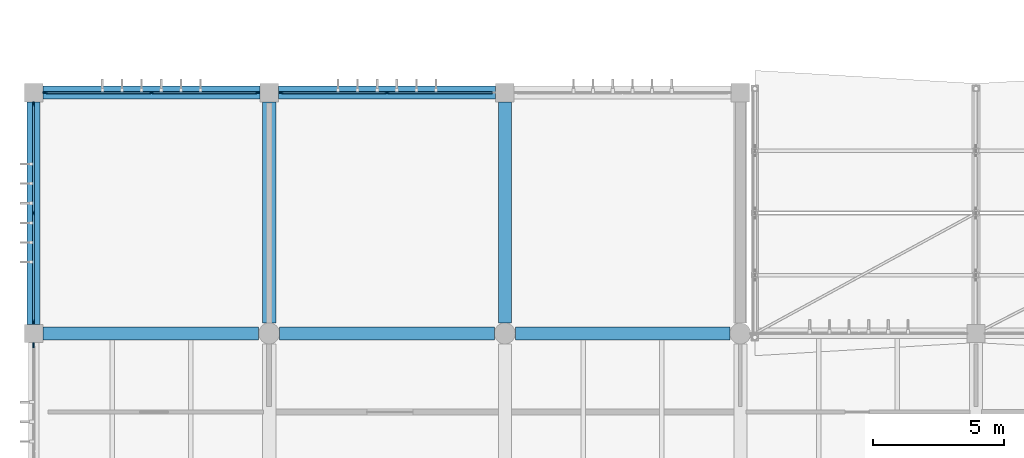
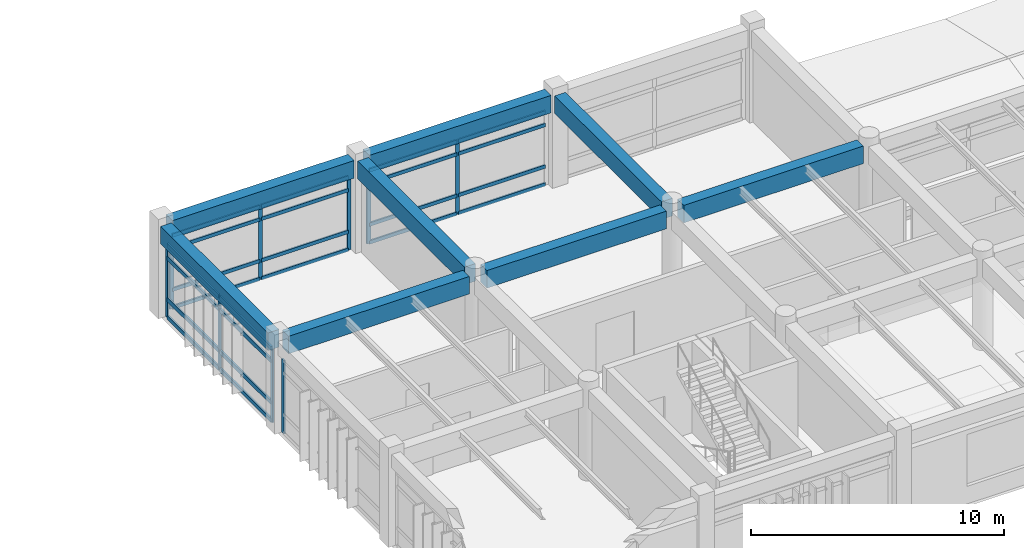
# One storey, part 15 of 90: 33 members, 8 beams, 4 elements without a shape of their own.
"""IFC4 building model written with IfcOpenShell, lengths in metres."""

from ifc_helpers import new_model, si_unit, direction, frame, origin, origin_2d, place, context, subcontext, project, spatial, rectangle, extrude, material, material_profile, profile_set, type_object, element, aggregate, save


model = new_model("IFC4")

# Units and contexts
model_context = context("Model", 3, precision=1e-05, world=origin(), true_north=direction((0.0, 1.0)))
body_context = subcontext(model_context, "Body", "Model", "MODEL_VIEW")
ifc_project = project(units=[si_unit("LENGTHUNIT", "METRE"), si_unit("AREAUNIT", "SQUARE_METRE"), si_unit("VOLUMEUNIT", "CUBIC_METRE"), si_unit("PLANEANGLEUNIT", "RADIAN"), si_unit("MASSUNIT", "GRAM", prefix="KILO")], contexts=[model_context])

# Site, building, storey
site_placement = place(None, origin())
site = spatial("IfcSite", under=ifc_project, at=site_placement, CompositionType="ELEMENT")
building_placement = place(site_placement, origin())
building = spatial("IfcBuilding", under=site, at=building_placement, Name="Bozkorgan Art Gallery", CompositionType="ELEMENT")
storey_placement = place(building_placement, frame((0.0, 0.0, 5.39990234375)))
storey = spatial("IfcBuildingStorey", under=building, at=storey_placement, Name="L01", CompositionType="ELEMENT", Elevation=5.39990234375)

# Beams
ifc_material_1 = material(Name="Concrete C35/45", Category="concrete")
ifc_material_profile_1 = material_profile(ifc_material_1, rectangle(XDim=0.5, YDim=0.85009765625, at=origin_2d()), Name="RC 500x850")
ifc_profile_set_1 = profile_set([ifc_material_profile_1], Name="Concrete C35/45")
beam_type = type_object("IfcBeamType", Name="BEAM-BM-01", PredefinedType="BEAM", material=ifc_profile_set_1)
beam_1_placement = place(storey_placement, frame((2.35009765625, 20.0, 4.01513671875), z_axis=(1.0, 0.0, 0.0), x_axis=(0.0, 1.0, 0.0)))
element("IfcBeam", 1, at=beam_1_placement, inside=storey, type_object=beam_type, Name="V1 L01 beam X (2-11, 20.0)", PredefinedType="BEAM", context=body_context, shape_type="SweptSolid", body=[
    extrude(rectangle(XDim=0.5, YDim=0.85009765625, at=origin_2d()), origin(), (0.0, 0.0, 1.0), 8.25),
])
for number, where, z_axis, x_axis, name in (
    (2, (11.39990234375, 20.0, 4.01513671875), (1.0, 0.0, 0.0), (0.0, 1.0, 0.0), "V1 L01 beam X (11-20, 20.0)"),
    (3, (20.39990234375, 20.0, 4.01513671875), (1.0, 0.0, 0.0), (0.0, 1.0, 0.0), "V1 L01 beam X (20-29, 20.0)"),
):
    element("IfcBeam", number, at=place(storey_placement, frame(where, z_axis=z_axis, x_axis=x_axis)), inside=storey, type_object=beam_type, Name=name, PredefinedType="BEAM", context=body_context, shape_type="SweptSolid", body=[
        extrude(rectangle(XDim=0.5, YDim=0.85009765625, at=origin_2d()), origin(), (0.0, 0.0, 1.0), 8.2001953125),
    ])
for number, where, z_axis, x_axis, name in (
    (4, (2.35009765625, 29.199951171875, 4.01513671875), (1.0, 0.0, 0.0), (0.0, 1.0, 0.0), "V1 L01 beam X (2-11, 29.2)"),
    (5, (11.35009765625, 29.199951171875, 4.01513671875), (1.0, 0.0, 0.0), (0.0, 1.0, 0.0), "V1 L01 beam X (11-20, 29.2)"),
):
    element("IfcBeam", number, at=place(storey_placement, frame(where, z_axis=z_axis, x_axis=x_axis)), inside=storey, type_object=beam_type, Name=name, PredefinedType="BEAM", context=body_context, shape_type="SweptSolid", body=[
        extrude(rectangle(XDim=0.5, YDim=0.85009765625, at=origin_2d()), origin(), (0.0, 0.0, 1.0), 8.2998046875),
    ])
beam_2_placement = place(storey_placement, frame((2.0, 20.35009765625, 4.01513671875), z_axis=(0.0, 1.0, 0.0), x_axis=(-1.0, 0.0, 0.0)))
element("IfcBeam", 6, at=beam_2_placement, inside=storey, type_object=beam_type, Name="V1 L01 beam Y (2, 20.0-29.2)", PredefinedType="BEAM", context=body_context, shape_type="SweptSolid", body=[
    extrude(rectangle(XDim=0.5, YDim=0.85009765625, at=origin_2d()), origin(), (0.0, 0.0, 1.0), 8.5),
])
for number, where, z_axis, x_axis, name in (
    (7, (11.0, 20.39990234375, 4.01513671875), (0.0, 1.0, 0.0), (-1.0, 0.0, 0.0), "V1 L01 beam Y (11, 20.0-29.2)"),
    (8, (20.0, 20.39990234375, 4.01513671875), (0.0, 1.0, 0.0), (-1.0, 0.0, 0.0), "V1 L01 beam Y (20, 20.0-29.2)"),
):
    element("IfcBeam", number, at=place(storey_placement, frame(where, z_axis=z_axis, x_axis=x_axis)), inside=storey, type_object=beam_type, Name=name, PredefinedType="BEAM", context=body_context, shape_type="SweptSolid", body=[
        extrude(rectangle(XDim=0.5, YDim=0.85009765625, at=origin_2d()), origin(), (0.0, 0.0, 1.0), 8.4501953125),
    ])

# Curtain wall, member
ifc_material_2 = material(Name="Anodised Bronze Aluminium", Category="aluminium")
curtain_wall_type_1 = type_object("IfcCurtainWallType", Name="CW-CW-94", PredefinedType="NOTDEFINED", material=ifc_material_2)
curtain_wall_1_placement = place(storey_placement, origin())
curtain_wall_1 = element("IfcCurtainWall", 9, at=curtain_wall_1_placement, inside=storey, type_object=curtain_wall_type_1, Name="L01 unitised curtain wall CW-V1-L01-1W-14", PredefinedType="NOTDEFINED")
ifc_material_profile_2 = material_profile(ifc_material_2, rectangle(XDim=0.06494140625, YDim=0.179931640625, at=origin_2d()), Name="ALU MULLION 65x180")
ifc_profile_set_2 = profile_set([ifc_material_profile_2], Name="Anodised Bronze Aluminium")
member_type_1 = type_object("IfcMemberType", Name="CWM-01", PredefinedType="MULLION", material=ifc_profile_set_2)
member_1_placement = place(storey_placement, frame((2.0, 19.552490234375, 0.02001953125), z_axis=(0.0, 0.0, 1.0), x_axis=(-1.0, 0.0, 0.0)))
member_1 = element("IfcMember", 10, at=member_1_placement, type_object=member_type_1, Name="CW-94 mullion 3", PredefinedType="MULLION", context=body_context, shape_type="SweptSolid", body=[
    extrude(rectangle(XDim=0.06494140625, YDim=0.179931640625, at=origin_2d()), origin(), (0.0, 0.0, 1.0), 3.55517578125),
])
aggregate(curtain_wall_1, [member_1])

# Curtain wall, members
curtain_wall_2_placement = place(storey_placement, origin())
curtain_wall_2 = element("IfcCurtainWall", 11, at=curtain_wall_2_placement, inside=storey, type_object=curtain_wall_type_1, Name="L01 unitised curtain wall CW-V1-L01-2N-01", PredefinedType="NOTDEFINED")
member_2_placement = place(storey_placement, frame((2.447509765625, 29.199951171875, 0.02001953125), z_axis=(0.0, 0.0, 1.0), x_axis=(0.0, 1.0, 0.0)))
member_2 = element("IfcMember", 12, at=member_2_placement, type_object=member_type_1, Name="CW-94 mullion 1", PredefinedType="MULLION", context=body_context, shape_type="SweptSolid", body=[
    extrude(rectangle(XDim=0.06494140625, YDim=0.179931640625, at=origin_2d()), origin(), (0.0, 0.0, 1.0), 3.55517578125),
])
member_3_placement = place(storey_placement, frame((6.5, 29.199951171875, 0.02001953125), z_axis=(0.0, 0.0, 1.0), x_axis=(0.0, 1.0, 0.0)))
member_3 = element("IfcMember", 13, at=member_3_placement, type_object=member_type_1, Name="CW-94 mullion 2", PredefinedType="MULLION", context=body_context, shape_type="SweptSolid", body=[
    extrude(rectangle(XDim=0.06494140625, YDim=0.179931640625, at=origin_2d()), origin(), (0.0, 0.0, 1.0), 3.55517578125),
])
member_4_placement = place(storey_placement, frame((10.552490234375, 29.199951171875, 0.02001953125), z_axis=(0.0, 0.0, 1.0), x_axis=(0.0, 1.0, 0.0)))
member_4 = element("IfcMember", 14, at=member_4_placement, type_object=member_type_1, Name="CW-94 mullion 3", PredefinedType="MULLION", context=body_context, shape_type="SweptSolid", body=[
    extrude(rectangle(XDim=0.06494140625, YDim=0.179931640625, at=origin_2d()), origin(), (0.0, 0.0, 1.0), 3.55517578125),
])

curtain_wall_3_placement = place(storey_placement, origin())
curtain_wall_3 = element("IfcCurtainWall", 15, at=curtain_wall_3_placement, inside=storey, type_object=curtain_wall_type_1, Name="L01 unitised curtain wall CW-V1-L01-2N-02", PredefinedType="NOTDEFINED")
member_5_placement = place(storey_placement, frame((11.447509765625, 29.199951171875, 0.02001953125), z_axis=(0.0, 0.0, 1.0), x_axis=(0.0, 1.0, 0.0)))
member_5 = element("IfcMember", 16, at=member_5_placement, type_object=member_type_1, Name="CW-94 mullion 1", PredefinedType="MULLION", context=body_context, shape_type="SweptSolid", body=[
    extrude(rectangle(XDim=0.06494140625, YDim=0.179931640625, at=origin_2d()), origin(), (0.0, 0.0, 1.0), 3.55517578125),
])
member_6_placement = place(storey_placement, frame((15.5, 29.199951171875, 0.02001953125), z_axis=(0.0, 0.0, 1.0), x_axis=(0.0, 1.0, 0.0)))
member_6 = element("IfcMember", 17, at=member_6_placement, type_object=member_type_1, Name="CW-94 mullion 2", PredefinedType="MULLION", context=body_context, shape_type="SweptSolid", body=[
    extrude(rectangle(XDim=0.06494140625, YDim=0.179931640625, at=origin_2d()), origin(), (0.0, 0.0, 1.0), 3.55517578125),
])

curtain_wall_type_2 = type_object("IfcCurtainWallType", Name="CW-CW-78", PredefinedType="NOTDEFINED", material=ifc_material_2)
curtain_wall_4_placement = place(storey_placement, origin())
curtain_wall_4 = element("IfcCurtainWall", 18, at=curtain_wall_4_placement, inside=storey, type_object=curtain_wall_type_2, Name="L01 unitised curtain wall CW-V1-L01-2W-04", PredefinedType="NOTDEFINED")
member_7_placement = place(storey_placement, frame((2.0, 20.447509765625, 0.02001953125), z_axis=(0.0, 0.0, 1.0), x_axis=(-1.0, 0.0, 0.0)))
member_7 = element("IfcMember", 19, at=member_7_placement, type_object=member_type_1, Name="CW-78 mullion 1", PredefinedType="MULLION", context=body_context, shape_type="SweptSolid", body=[
    extrude(rectangle(XDim=0.06494140625, YDim=0.179931640625, at=origin_2d()), origin(), (0.0, 0.0, 1.0), 3.55517578125),
])
member_8_placement = place(storey_placement, frame((2.0, 24.60009765625, 0.02001953125), z_axis=(0.0, 0.0, 1.0), x_axis=(-1.0, 0.0, 0.0)))
member_8 = element("IfcMember", 20, at=member_8_placement, type_object=member_type_1, Name="CW-78 mullion 2", PredefinedType="MULLION", context=body_context, shape_type="SweptSolid", body=[
    extrude(rectangle(XDim=0.06494140625, YDim=0.179931640625, at=origin_2d()), origin(), (0.0, 0.0, 1.0), 3.55517578125),
])
member_9_placement = place(storey_placement, frame((2.0, 28.75244140625, 0.02001953125), z_axis=(0.0, 0.0, 1.0), x_axis=(-1.0, 0.0, 0.0)))
member_9 = element("IfcMember", 21, at=member_9_placement, type_object=member_type_1, Name="CW-78 mullion 3", PredefinedType="MULLION", context=body_context, shape_type="SweptSolid", body=[
    extrude(rectangle(XDim=0.06494140625, YDim=0.179931640625, at=origin_2d()), origin(), (0.0, 0.0, 1.0), 3.55517578125),
])

# Member
ifc_material_profile_3 = material_profile(ifc_material_2, rectangle(XDim=0.074951171875, YDim=0.169921875, at=origin_2d()), Name="ALU TRANSOM 75x170")
ifc_profile_set_3 = profile_set([ifc_material_profile_3], Name="Anodised Bronze Aluminium")
member_type_2 = type_object("IfcMemberType", Name="CWT-02", PredefinedType="USERDEFINED", material=ifc_profile_set_3)
member_10_placement = place(storey_placement, frame((2.47998046875, 29.199951171875, 0.0576171875), z_axis=(1.0, 0.0, 0.0), x_axis=(0.0, 1.0, 0.0)))
member_10 = element("IfcMember", 22, at=member_10_placement, type_object=member_type_2, Name="CW-94 transom 1.1", ObjectType="TRANSOM", PredefinedType="USERDEFINED", context=body_context, shape_type="SweptSolid", body=[
    extrude(rectangle(XDim=0.074951171875, YDim=0.169921875, at=origin_2d()), origin(), (0.0, 0.0, 1.0), 3.987548828125),
])

member_11_placement = place(storey_placement, frame((2.47998046875, 29.199951171875, 0.920166015625), z_axis=(1.0, 0.0, 0.0), x_axis=(0.0, 1.0, 0.0)))
member_11 = element("IfcMember", 23, at=member_11_placement, type_object=member_type_2, Name="CW-94 transom 1.2", ObjectType="TRANSOM", PredefinedType="USERDEFINED", context=body_context, shape_type="SweptSolid", body=[
    extrude(rectangle(XDim=0.074951171875, YDim=0.169921875, at=origin_2d()), origin(), (0.0, 0.0, 1.0), 3.987548828125),
])

member_12_placement = place(storey_placement, frame((2.47998046875, 29.199951171875, 2.925048828125), z_axis=(1.0, 0.0, 0.0), x_axis=(0.0, 1.0, 0.0)))
member_12 = element("IfcMember", 24, at=member_12_placement, type_object=member_type_2, Name="CW-94 transom 1.3", ObjectType="TRANSOM", PredefinedType="USERDEFINED", context=body_context, shape_type="SweptSolid", body=[
    extrude(rectangle(XDim=0.074951171875, YDim=0.169921875, at=origin_2d()), origin(), (0.0, 0.0, 1.0), 3.987548828125),
])

member_13_placement = place(storey_placement, frame((2.47998046875, 29.199951171875, 3.53759765625), z_axis=(1.0, 0.0, 0.0), x_axis=(0.0, 1.0, 0.0)))
member_13 = element("IfcMember", 25, at=member_13_placement, type_object=member_type_2, Name="CW-94 transom 1.4", ObjectType="TRANSOM", PredefinedType="USERDEFINED", context=body_context, shape_type="SweptSolid", body=[
    extrude(rectangle(XDim=0.074951171875, YDim=0.169921875, at=origin_2d()), origin(), (0.0, 0.0, 1.0), 3.987548828125),
])

member_14_placement = place(storey_placement, frame((6.532470703125, 29.199951171875, 0.0576171875), z_axis=(1.0, 0.0, 0.0), x_axis=(0.0, 1.0, 0.0)))
member_14 = element("IfcMember", 26, at=member_14_placement, type_object=member_type_2, Name="CW-94 transom 2.1", ObjectType="TRANSOM", PredefinedType="USERDEFINED", context=body_context, shape_type="SweptSolid", body=[
    extrude(rectangle(XDim=0.074951171875, YDim=0.169921875, at=origin_2d()), origin(), (0.0, 0.0, 1.0), 3.987548828125),
])

member_15_placement = place(storey_placement, frame((6.532470703125, 29.199951171875, 0.920166015625), z_axis=(1.0, 0.0, 0.0), x_axis=(0.0, 1.0, 0.0)))
member_15 = element("IfcMember", 27, at=member_15_placement, type_object=member_type_2, Name="CW-94 transom 2.2", ObjectType="TRANSOM", PredefinedType="USERDEFINED", context=body_context, shape_type="SweptSolid", body=[
    extrude(rectangle(XDim=0.074951171875, YDim=0.169921875, at=origin_2d()), origin(), (0.0, 0.0, 1.0), 3.987548828125),
])

member_16_placement = place(storey_placement, frame((6.532470703125, 29.199951171875, 2.925048828125), z_axis=(1.0, 0.0, 0.0), x_axis=(0.0, 1.0, 0.0)))
member_16 = element("IfcMember", 28, at=member_16_placement, type_object=member_type_2, Name="CW-94 transom 2.3", ObjectType="TRANSOM", PredefinedType="USERDEFINED", context=body_context, shape_type="SweptSolid", body=[
    extrude(rectangle(XDim=0.074951171875, YDim=0.169921875, at=origin_2d()), origin(), (0.0, 0.0, 1.0), 3.987548828125),
])

member_17_placement = place(storey_placement, frame((6.532470703125, 29.199951171875, 3.53759765625), z_axis=(1.0, 0.0, 0.0), x_axis=(0.0, 1.0, 0.0)))
member_17 = element("IfcMember", 29, at=member_17_placement, type_object=member_type_2, Name="CW-94 transom 2.4", ObjectType="TRANSOM", PredefinedType="USERDEFINED", context=body_context, shape_type="SweptSolid", body=[
    extrude(rectangle(XDim=0.074951171875, YDim=0.169921875, at=origin_2d()), origin(), (0.0, 0.0, 1.0), 3.987548828125),
])

aggregate(curtain_wall_2, [member_2, member_3, member_4, member_10, member_11, member_12, member_13, member_14, member_15, member_16, member_17])

member_18_placement = place(storey_placement, frame((11.47998046875, 29.199951171875, 0.0576171875), z_axis=(1.0, 0.0, 0.0), x_axis=(0.0, 1.0, 0.0)))
member_18 = element("IfcMember", 30, at=member_18_placement, type_object=member_type_2, Name="CW-94 transom 1.1", ObjectType="TRANSOM", PredefinedType="USERDEFINED", context=body_context, shape_type="SweptSolid", body=[
    extrude(rectangle(XDim=0.074951171875, YDim=0.169921875, at=origin_2d()), origin(), (0.0, 0.0, 1.0), 3.987548828125),
])

member_19_placement = place(storey_placement, frame((11.47998046875, 29.199951171875, 0.920166015625), z_axis=(1.0, 0.0, 0.0), x_axis=(0.0, 1.0, 0.0)))
member_19 = element("IfcMember", 31, at=member_19_placement, type_object=member_type_2, Name="CW-94 transom 1.2", ObjectType="TRANSOM", PredefinedType="USERDEFINED", context=body_context, shape_type="SweptSolid", body=[
    extrude(rectangle(XDim=0.074951171875, YDim=0.169921875, at=origin_2d()), origin(), (0.0, 0.0, 1.0), 3.987548828125),
])

member_20_placement = place(storey_placement, frame((11.47998046875, 29.199951171875, 2.925048828125), z_axis=(1.0, 0.0, 0.0), x_axis=(0.0, 1.0, 0.0)))
member_20 = element("IfcMember", 32, at=member_20_placement, type_object=member_type_2, Name="CW-94 transom 1.3", ObjectType="TRANSOM", PredefinedType="USERDEFINED", context=body_context, shape_type="SweptSolid", body=[
    extrude(rectangle(XDim=0.074951171875, YDim=0.169921875, at=origin_2d()), origin(), (0.0, 0.0, 1.0), 3.987548828125),
])

member_21_placement = place(storey_placement, frame((11.47998046875, 29.199951171875, 3.53759765625), z_axis=(1.0, 0.0, 0.0), x_axis=(0.0, 1.0, 0.0)))
member_21 = element("IfcMember", 33, at=member_21_placement, type_object=member_type_2, Name="CW-94 transom 1.4", ObjectType="TRANSOM", PredefinedType="USERDEFINED", context=body_context, shape_type="SweptSolid", body=[
    extrude(rectangle(XDim=0.074951171875, YDim=0.169921875, at=origin_2d()), origin(), (0.0, 0.0, 1.0), 3.987548828125),
])

member_22_placement = place(storey_placement, frame((15.532470703125, 29.199951171875, 0.0576171875), z_axis=(1.0, 0.0, 0.0), x_axis=(0.0, 1.0, 0.0)))
member_22 = element("IfcMember", 34, at=member_22_placement, type_object=member_type_2, Name="CW-94 transom 2.1", ObjectType="TRANSOM", PredefinedType="USERDEFINED", context=body_context, shape_type="SweptSolid", body=[
    extrude(rectangle(XDim=0.074951171875, YDim=0.169921875, at=origin_2d()), origin(), (0.0, 0.0, 1.0), 3.987548828125),
])

member_23_placement = place(storey_placement, frame((15.532470703125, 29.199951171875, 0.920166015625), z_axis=(1.0, 0.0, 0.0), x_axis=(0.0, 1.0, 0.0)))
member_23 = element("IfcMember", 35, at=member_23_placement, type_object=member_type_2, Name="CW-94 transom 2.2", ObjectType="TRANSOM", PredefinedType="USERDEFINED", context=body_context, shape_type="SweptSolid", body=[
    extrude(rectangle(XDim=0.074951171875, YDim=0.169921875, at=origin_2d()), origin(), (0.0, 0.0, 1.0), 3.987548828125),
])

member_24_placement = place(storey_placement, frame((15.532470703125, 29.199951171875, 2.925048828125), z_axis=(1.0, 0.0, 0.0), x_axis=(0.0, 1.0, 0.0)))
member_24 = element("IfcMember", 36, at=member_24_placement, type_object=member_type_2, Name="CW-94 transom 2.3", ObjectType="TRANSOM", PredefinedType="USERDEFINED", context=body_context, shape_type="SweptSolid", body=[
    extrude(rectangle(XDim=0.074951171875, YDim=0.169921875, at=origin_2d()), origin(), (0.0, 0.0, 1.0), 3.987548828125),
])

member_25_placement = place(storey_placement, frame((15.532470703125, 29.199951171875, 3.53759765625), z_axis=(1.0, 0.0, 0.0), x_axis=(0.0, 1.0, 0.0)))
member_25 = element("IfcMember", 37, at=member_25_placement, type_object=member_type_2, Name="CW-94 transom 2.4", ObjectType="TRANSOM", PredefinedType="USERDEFINED", context=body_context, shape_type="SweptSolid", body=[
    extrude(rectangle(XDim=0.074951171875, YDim=0.169921875, at=origin_2d()), origin(), (0.0, 0.0, 1.0), 3.987548828125),
])

aggregate(curtain_wall_3, [member_5, member_6, member_18, member_19, member_20, member_21, member_22, member_23, member_24, member_25])

ifc_material_profile_4 = material_profile(ifc_material_2, rectangle(XDim=0.080078125, YDim=0.199951171875, at=origin_2d()), Name="ALU TRANSOM 80x200")
ifc_profile_set_4 = profile_set([ifc_material_profile_4], Name="Anodised Bronze Aluminium")
member_type_3 = type_object("IfcMemberType", Name="CWT-03", PredefinedType="USERDEFINED", material=ifc_profile_set_4)
member_26_placement = place(storey_placement, frame((2.0, 20.47998046875, 0.06005859375), z_axis=(0.0, 1.0, 0.0), x_axis=(-1.0, 0.0, 0.0)))
member_26 = element("IfcMember", 38, at=member_26_placement, type_object=member_type_3, Name="CW-78 transom 1.1", ObjectType="TRANSOM", PredefinedType="USERDEFINED", context=body_context, shape_type="SweptSolid", body=[
    extrude(rectangle(XDim=0.080078125, YDim=0.199951171875, at=origin_2d()), origin(), (0.0, 0.0, 1.0), 4.08740234375),
])

member_27_placement = place(storey_placement, frame((2.0, 20.47998046875, 0.920166015625), z_axis=(0.0, 1.0, 0.0), x_axis=(-1.0, 0.0, 0.0)))
member_27 = element("IfcMember", 39, at=member_27_placement, type_object=member_type_3, Name="CW-78 transom 1.2", ObjectType="TRANSOM", PredefinedType="USERDEFINED", context=body_context, shape_type="SweptSolid", body=[
    extrude(rectangle(XDim=0.080078125, YDim=0.199951171875, at=origin_2d()), origin(), (0.0, 0.0, 1.0), 4.08740234375),
])

member_28_placement = place(storey_placement, frame((2.0, 20.47998046875, 2.925048828125), z_axis=(0.0, 1.0, 0.0), x_axis=(-1.0, 0.0, 0.0)))
member_28 = element("IfcMember", 40, at=member_28_placement, type_object=member_type_3, Name="CW-78 transom 1.3", ObjectType="TRANSOM", PredefinedType="USERDEFINED", context=body_context, shape_type="SweptSolid", body=[
    extrude(rectangle(XDim=0.080078125, YDim=0.199951171875, at=origin_2d()), origin(), (0.0, 0.0, 1.0), 4.08740234375),
])

member_29_placement = place(storey_placement, frame((2.0, 20.47998046875, 3.53515625), z_axis=(0.0, 1.0, 0.0), x_axis=(-1.0, 0.0, 0.0)))
member_29 = element("IfcMember", 41, at=member_29_placement, type_object=member_type_3, Name="CW-78 transom 1.4", ObjectType="TRANSOM", PredefinedType="USERDEFINED", context=body_context, shape_type="SweptSolid", body=[
    extrude(rectangle(XDim=0.080078125, YDim=0.199951171875, at=origin_2d()), origin(), (0.0, 0.0, 1.0), 4.08740234375),
])

member_30_placement = place(storey_placement, frame((2.0, 24.632568359375, 0.06005859375), z_axis=(0.0, 1.0, 0.0), x_axis=(-1.0, 0.0, 0.0)))
member_30 = element("IfcMember", 42, at=member_30_placement, type_object=member_type_3, Name="CW-78 transom 2.1", ObjectType="TRANSOM", PredefinedType="USERDEFINED", context=body_context, shape_type="SweptSolid", body=[
    extrude(rectangle(XDim=0.080078125, YDim=0.199951171875, at=origin_2d()), origin(), (0.0, 0.0, 1.0), 4.08740234375),
])

member_31_placement = place(storey_placement, frame((2.0, 24.632568359375, 0.920166015625), z_axis=(0.0, 1.0, 0.0), x_axis=(-1.0, 0.0, 0.0)))
member_31 = element("IfcMember", 43, at=member_31_placement, type_object=member_type_3, Name="CW-78 transom 2.2", ObjectType="TRANSOM", PredefinedType="USERDEFINED", context=body_context, shape_type="SweptSolid", body=[
    extrude(rectangle(XDim=0.080078125, YDim=0.199951171875, at=origin_2d()), origin(), (0.0, 0.0, 1.0), 4.08740234375),
])

member_32_placement = place(storey_placement, frame((2.0, 24.632568359375, 2.925048828125), z_axis=(0.0, 1.0, 0.0), x_axis=(-1.0, 0.0, 0.0)))
member_32 = element("IfcMember", 44, at=member_32_placement, type_object=member_type_3, Name="CW-78 transom 2.3", ObjectType="TRANSOM", PredefinedType="USERDEFINED", context=body_context, shape_type="SweptSolid", body=[
    extrude(rectangle(XDim=0.080078125, YDim=0.199951171875, at=origin_2d()), origin(), (0.0, 0.0, 1.0), 4.08740234375),
])

member_33_placement = place(storey_placement, frame((2.0, 24.632568359375, 3.53515625), z_axis=(0.0, 1.0, 0.0), x_axis=(-1.0, 0.0, 0.0)))
member_33 = element("IfcMember", 45, at=member_33_placement, type_object=member_type_3, Name="CW-78 transom 2.4", ObjectType="TRANSOM", PredefinedType="USERDEFINED", context=body_context, shape_type="SweptSolid", body=[
    extrude(rectangle(XDim=0.080078125, YDim=0.199951171875, at=origin_2d()), origin(), (0.0, 0.0, 1.0), 4.08740234375),
])

aggregate(curtain_wall_4, [member_7, member_8, member_9, member_26, member_27, member_28, member_29, member_30, member_31, member_32, member_33])

save(model, "model.ifc")
